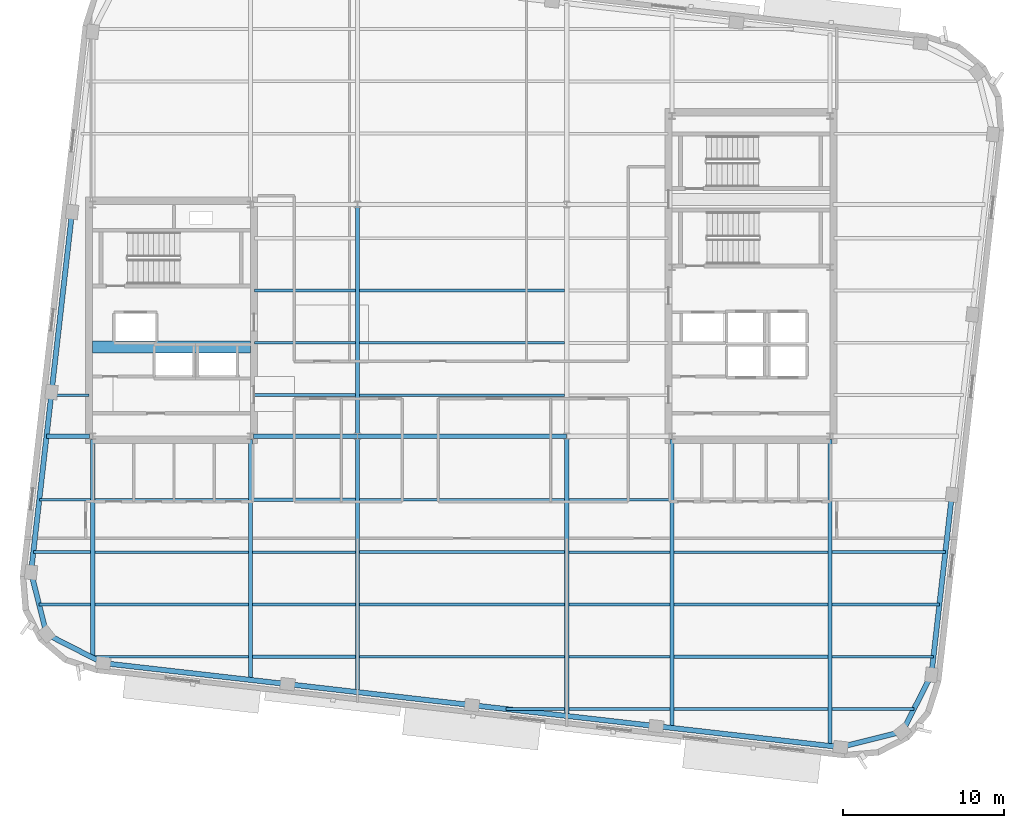
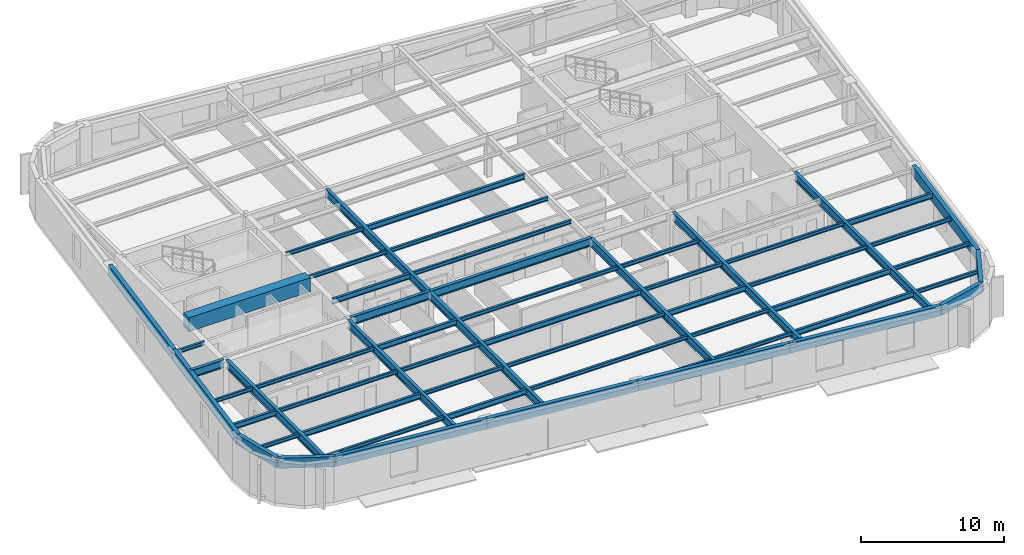
# One storey, part 3 of 14: 58 beams.
"""IFC4 building model written with IfcOpenShell, lengths in metres."""

from ifc_helpers import new_model, si_unit, direction, frame, origin, origin_2d, place, context, subcontext, project, spatial, rectangle, hollow_rectangle, i_section, extrude, material, material_profile, profile_set, type_object, element, save


model = new_model("IFC4")

# Units and contexts
model_context = context("Model", 3, precision=1e-05, world=origin(), true_north=direction((0.0, 1.0)))
body_context = subcontext(model_context, "Body", "Model", "MODEL_VIEW")
ifc_project = project(units=[si_unit("LENGTHUNIT", "METRE"), si_unit("AREAUNIT", "SQUARE_METRE"), si_unit("VOLUMEUNIT", "CUBIC_METRE"), si_unit("PLANEANGLEUNIT", "RADIAN"), si_unit("MASSUNIT", "GRAM", prefix="KILO")], contexts=[model_context])

# Site, building, storey
site_placement = place(None, origin())
site = spatial("IfcSite", under=ifc_project, at=site_placement, CompositionType="ELEMENT")
building_placement = place(site_placement, origin())
building = spatial("IfcBuilding", under=site, at=building_placement, Name="Kolvaren Arena Tower", CompositionType="ELEMENT")
storey_placement = place(building_placement, frame((0.0, 0.0, 258.449951171875)))
storey = spatial("IfcBuildingStorey", under=building, at=storey_placement, Name="L63", CompositionType="ELEMENT", Elevation=258.449951171875)

# Beams
ifc_material_1 = material(Name="Steel CSA G40.21 350W", Category="steel")
ifc_material_profile_1 = material_profile(ifc_material_1, i_section(OverallWidth=0.193115234375, OverallDepth=0.462890625, WebThickness=0.0107421875, FlangeThickness=0.0205078125, FilletRadius=0.012939453125, at=origin_2d()), Name="W460x113")
ifc_profile_set_1 = profile_set([ifc_material_profile_1], Name="Steel CSA G40.21 350W")
beam_type_1 = type_object("IfcBeamType", Name="BEAM-F2", PredefinedType="BEAM", material=ifc_profile_set_1)
beam_1_placement = place(storey_placement, frame((50.677490234375, 2.5, 3.24853515625), z_axis=(1.0, 0.0, 0.0), x_axis=(0.0, 1.0, 0.0)))
element("IfcBeam", 1, at=beam_1_placement, inside=storey, type_object=beam_type_1, Name="Composite Floor Beam (L63)", PredefinedType="BEAM", context=body_context, shape_type="SweptSolid", body=[
    extrude(i_section(OverallWidth=0.193115234375, OverallDepth=0.462890625, WebThickness=0.0107421875, FlangeThickness=0.0205078125, FilletRadius=0.012939453125, at=origin_2d()), origin(), (0.0, 0.0, 1.0), 9.544921875),
])
beam_2_placement = place(storey_placement, frame((24.4775390625, 5.75, 3.24853515625), z_axis=(1.0, 0.0, 0.0), x_axis=(0.0, 1.0, 0.0)))
element("IfcBeam", 2, at=beam_2_placement, inside=storey, type_object=beam_type_1, Name="Composite Floor Beam (L63)", PredefinedType="BEAM", context=body_context, shape_type="SweptSolid", body=[
    extrude(i_section(OverallWidth=0.193115234375, OverallDepth=0.462890625, WebThickness=0.0107421875, FlangeThickness=0.0205078125, FilletRadius=0.012939453125, at=origin_2d()), origin(), (0.0, 0.0, 1.0), 6.39501953125),
])
for number, where, z_axis, x_axis, name in (
    (3, (50.677490234375, 5.75, 3.24853515625), (1.0, 0.0, 0.0), (0.0, 1.0, 0.0), "Composite Floor Beam (L63)"),
    (4, (14.677490234375, 9.0, 3.24853515625), (1.0, 0.0, 0.0), (0.0, 1.0, 0.0), "Composite Floor Beam (L63)"),
):
    element("IfcBeam", number, at=place(storey_placement, frame(where, z_axis=z_axis, x_axis=x_axis)), inside=storey, type_object=beam_type_1, Name=name, PredefinedType="BEAM", context=body_context, shape_type="SweptSolid", body=[
        extrude(i_section(OverallWidth=0.193115234375, OverallDepth=0.462890625, WebThickness=0.0107421875, FlangeThickness=0.0205078125, FilletRadius=0.012939453125, at=origin_2d()), origin(), (0.0, 0.0, 1.0), 9.544921875),
    ])
beam_3_placement = place(storey_placement, frame((44.12744140625, 9.0, 3.24853515625), z_axis=(1.0, 0.0, 0.0), x_axis=(0.0, 1.0, 0.0)))
element("IfcBeam", 5, at=beam_3_placement, inside=storey, type_object=beam_type_1, Name="Composite Floor Beam (L63)", PredefinedType="BEAM", context=body_context, shape_type="SweptSolid", body=[
    extrude(i_section(OverallWidth=0.193115234375, OverallDepth=0.462890625, WebThickness=0.0107421875, FlangeThickness=0.0205078125, FilletRadius=0.012939453125, at=origin_2d()), origin(), (0.0, 0.0, 1.0), 6.295166015625),
])
beam_4_placement = place(storey_placement, frame((10.86083984375, 12.25, 3.24853515625), z_axis=(1.0, 0.0, 0.0), x_axis=(0.0, 1.0, 0.0)))
element("IfcBeam", 6, at=beam_4_placement, inside=storey, type_object=beam_type_1, Name="Composite Floor Beam (L63)", PredefinedType="BEAM", context=body_context, shape_type="SweptSolid", body=[
    extrude(i_section(OverallWidth=0.193115234375, OverallDepth=0.462890625, WebThickness=0.0107421875, FlangeThickness=0.0205078125, FilletRadius=0.012939453125, at=origin_2d()), origin(), (0.0, 0.0, 1.0), 3.561767578125),
])
beam_5_placement = place(storey_placement, frame((31.12744140625, 12.25, 3.24853515625), z_axis=(1.0, 0.0, 0.0), x_axis=(0.0, 1.0, 0.0)))
element("IfcBeam", 7, at=beam_5_placement, inside=storey, type_object=beam_type_1, Name="Composite Floor Beam (L63)", PredefinedType="BEAM", context=body_context, shape_type="SweptSolid", body=[
    extrude(i_section(OverallWidth=0.193115234375, OverallDepth=0.462890625, WebThickness=0.0107421875, FlangeThickness=0.0205078125, FilletRadius=0.012939453125, at=origin_2d()), origin(), (0.0, 0.0, 1.0), 12.7451171875),
])
beam_6_placement = place(storey_placement, frame((60.4775390625, 12.25, 3.24853515625), z_axis=(1.0, 0.0, 0.0), x_axis=(0.0, 1.0, 0.0)))
element("IfcBeam", 8, at=beam_6_placement, inside=storey, type_object=beam_type_1, Name="Composite Floor Beam (L63)", PredefinedType="BEAM", context=body_context, shape_type="SweptSolid", body=[
    extrude(i_section(OverallWidth=0.193115234375, OverallDepth=0.462890625, WebThickness=0.0107421875, FlangeThickness=0.0205078125, FilletRadius=0.012939453125, at=origin_2d()), origin(), (0.0, 0.0, 1.0), 7.04736328125),
])
beam_7_placement = place(storey_placement, frame((24.4775390625, 15.5, 3.24853515625), z_axis=(1.0, 0.0, 0.0), x_axis=(0.0, 1.0, 0.0)))
element("IfcBeam", 9, at=beam_7_placement, inside=storey, type_object=beam_type_1, Name="Composite Floor Beam (L63)", PredefinedType="BEAM", context=body_context, shape_type="SweptSolid", body=[
    extrude(i_section(OverallWidth=0.193115234375, OverallDepth=0.462890625, WebThickness=0.0107421875, FlangeThickness=0.0205078125, FilletRadius=0.012939453125, at=origin_2d()), origin(), (0.0, 0.0, 1.0), 6.39501953125),
])
beam_8_placement = place(storey_placement, frame((24.594970703125, 22.0, 3.24853515625), z_axis=(1.0, 0.0, 0.0), x_axis=(0.0, 1.0, 0.0)))
element("IfcBeam", 10, at=beam_8_placement, inside=storey, type_object=beam_type_1, Name="Composite Floor Beam (L63)", PredefinedType="BEAM", context=body_context, shape_type="SweptSolid", body=[
    extrude(i_section(OverallWidth=0.193115234375, OverallDepth=0.462890625, WebThickness=0.0107421875, FlangeThickness=0.0205078125, FilletRadius=0.012939453125, at=origin_2d()), origin(), (0.0, 0.0, 1.0), 6.277587890625),
])
beam_9_placement = place(storey_placement, frame((31.12744140625, 28.5, 3.24853515625), z_axis=(1.0, 0.0, 0.0), x_axis=(0.0, 1.0, 0.0)))
element("IfcBeam", 11, at=beam_9_placement, inside=storey, type_object=beam_type_1, Name="Composite Floor Beam (L63)", PredefinedType="BEAM", context=body_context, shape_type="SweptSolid", body=[
    extrude(i_section(OverallWidth=0.193115234375, OverallDepth=0.462890625, WebThickness=0.0107421875, FlangeThickness=0.0205078125, FilletRadius=0.012939453125, at=origin_2d()), origin(), (0.0, 0.0, 1.0), 12.7451171875),
])
ifc_material_2 = material(Name="Concrete 60 MPa", Category="concrete")
ifc_material_profile_2 = material_profile(ifc_material_2, rectangle(XDim=0.75, YDim=1.199951171875, at=origin_2d()), Name="RC-750x1200")
ifc_profile_set_2 = profile_set([ifc_material_profile_2], Name="Concrete 60 MPa")
beam_type_2 = type_object("IfcBeamType", Name="CB-CORE-2", PredefinedType="BEAM", material=ifc_profile_set_2)
beam_10_placement = place(storey_placement, frame((14.550048828125, 25.0, 3.150146484375), z_axis=(1.0, 0.0, 0.0), x_axis=(0.0, 1.0, 0.0)))
element("IfcBeam", 12, at=beam_10_placement, inside=storey, type_object=beam_type_2, Name="West Core Coupling Beam (L63)", PredefinedType="BEAM", context=body_context, shape_type="SweptSolid", body=[
    extrude(rectangle(XDim=0.75, YDim=1.199951171875, at=origin_2d()), origin(), (0.0, 0.0, 1.0), 9.800048828125),
])
ifc_material_profile_3 = material_profile(ifc_material_1, i_section(OverallWidth=0.2548828125, OverallDepth=0.695068359375, WebThickness=0.01708984375, FlangeThickness=0.02978515625, FilletRadius=0.01611328125, at=origin_2d()), Name="W690x217")
ifc_profile_set_3 = profile_set([ifc_material_profile_3], Name="Steel CSA G40.21 350W")
beam_type_3 = type_object("IfcBeamType", Name="GIRD-T2", PredefinedType="BEAM", material=ifc_profile_set_3)
beam_11_placement = place(storey_placement, frame((11.68115234375, 19.449951171875, 3.132568359375), z_axis=(1.0, 0.0, 0.0), x_axis=(0.0, 1.0, 0.0)))
element("IfcBeam", 13, at=beam_11_placement, inside=storey, type_object=beam_type_3, Name="Primary Floor Girder (L63)", PredefinedType="BEAM", context=body_context, shape_type="SweptSolid", body=[
    extrude(i_section(OverallWidth=0.2548828125, OverallDepth=0.695068359375, WebThickness=0.01708984375, FlangeThickness=0.02978515625, FilletRadius=0.01611328125, at=origin_2d()), origin(), (0.0, 0.0, 1.0), 2.663818359375),
])
beam_12_placement = place(storey_placement, frame((24.554931640625, 19.449951171875, 3.132568359375), z_axis=(1.0, 0.0, 0.0), x_axis=(0.0, 1.0, 0.0)))
element("IfcBeam", 14, at=beam_12_placement, inside=storey, type_object=beam_type_3, Name="Primary Floor Girder (L63)", PredefinedType="BEAM", context=body_context, shape_type="SweptSolid", body=[
    extrude(i_section(OverallWidth=0.2548828125, OverallDepth=0.695068359375, WebThickness=0.01708984375, FlangeThickness=0.02978515625, FilletRadius=0.01611328125, at=origin_2d()), origin(), (0.0, 0.0, 1.0), 6.445068359375),
])
beam_13_placement = place(storey_placement, frame((31.0, 19.449951171875, 3.132568359375), z_axis=(1.0, 0.0, 0.0), x_axis=(0.0, 1.0, 0.0)))
element("IfcBeam", 15, at=beam_13_placement, inside=storey, type_object=beam_type_3, Name="Primary Floor Girder (L63)", PredefinedType="BEAM", context=body_context, shape_type="SweptSolid", body=[
    extrude(i_section(OverallWidth=0.2548828125, OverallDepth=0.695068359375, WebThickness=0.01708984375, FlangeThickness=0.02978515625, FilletRadius=0.01611328125, at=origin_2d()), origin(), (0.0, 0.0, 1.0), 13.0),
])
beam_14_placement = place(storey_placement, frame((14.550048828125, 5.686767578125, 3.132568359375), z_axis=(0.0, 1.0, 0.0), x_axis=(-1.0, 0.0, 0.0)))
element("IfcBeam", 16, at=beam_14_placement, inside=storey, type_object=beam_type_3, Name="Primary Floor Girder (L63)", PredefinedType="BEAM", context=body_context, shape_type="SweptSolid", body=[
    extrude(i_section(OverallWidth=0.2548828125, OverallDepth=0.695068359375, WebThickness=0.01708984375, FlangeThickness=0.02978515625, FilletRadius=0.01611328125, at=origin_2d()), origin(), (0.0, 0.0, 1.0), 13.558349609375),
])
beam_15_placement = place(storey_placement, frame((24.35009765625, 4.30908203125, 3.132568359375), z_axis=(0.0, 1.0, 0.0), x_axis=(-1.0, 0.0, 0.0)))
element("IfcBeam", 17, at=beam_15_placement, inside=storey, type_object=beam_type_3, Name="Primary Floor Girder (L63)", PredefinedType="BEAM", context=body_context, shape_type="SweptSolid", body=[
    extrude(i_section(OverallWidth=0.2548828125, OverallDepth=0.695068359375, WebThickness=0.01708984375, FlangeThickness=0.02978515625, FilletRadius=0.01611328125, at=origin_2d()), origin(), (0.0, 0.0, 1.0), 14.93603515625),
])
beam_16_placement = place(storey_placement, frame((31.0, 3.551513671875, 3.132568359375), z_axis=(0.0, 1.0, 0.0), x_axis=(-1.0, 0.0, 0.0)))
element("IfcBeam", 18, at=beam_16_placement, inside=storey, type_object=beam_type_3, Name="Primary Floor Girder (L63)", PredefinedType="BEAM", context=body_context, shape_type="SweptSolid", body=[
    extrude(i_section(OverallWidth=0.2548828125, OverallDepth=0.695068359375, WebThickness=0.01708984375, FlangeThickness=0.02978515625, FilletRadius=0.01611328125, at=origin_2d()), origin(), (0.0, 0.0, 1.0), 15.8984375),
])
beam_17_placement = place(storey_placement, frame((31.0, 19.449951171875, 3.132568359375), z_axis=(0.0, 1.0, 0.0), x_axis=(-1.0, 0.0, 0.0)))
element("IfcBeam", 19, at=beam_17_placement, inside=storey, type_object=beam_type_3, Name="Primary Floor Girder (L63)", PredefinedType="BEAM", context=body_context, shape_type="SweptSolid", body=[
    extrude(i_section(OverallWidth=0.2548828125, OverallDepth=0.695068359375, WebThickness=0.01708984375, FlangeThickness=0.02978515625, FilletRadius=0.01611328125, at=origin_2d()), origin(), (0.0, 0.0, 1.0), 14.400146484375),
])
beam_18_placement = place(storey_placement, frame((44.0, 2.0703125, 3.132568359375), z_axis=(0.0, 1.0, 0.0), x_axis=(-1.0, 0.0, 0.0)))
element("IfcBeam", 20, at=beam_18_placement, inside=storey, type_object=beam_type_3, Name="Primary Floor Girder (L63)", PredefinedType="BEAM", context=body_context, shape_type="SweptSolid", body=[
    extrude(i_section(OverallWidth=0.2548828125, OverallDepth=0.695068359375, WebThickness=0.01708984375, FlangeThickness=0.02978515625, FilletRadius=0.01611328125, at=origin_2d()), origin(), (0.0, 0.0, 1.0), 17.379638671875),
])
beam_19_placement = place(storey_placement, frame((50.550048828125, 1.323974609375, 3.132568359375), z_axis=(0.0, 1.0, 0.0), x_axis=(-1.0, 0.0, 0.0)))
element("IfcBeam", 21, at=beam_19_placement, inside=storey, type_object=beam_type_3, Name="Primary Floor Girder (L63)", PredefinedType="BEAM", context=body_context, shape_type="SweptSolid", body=[
    extrude(i_section(OverallWidth=0.2548828125, OverallDepth=0.695068359375, WebThickness=0.01708984375, FlangeThickness=0.02978515625, FilletRadius=0.01611328125, at=origin_2d()), origin(), (0.0, 0.0, 1.0), 17.921142578125),
])
beam_20_placement = place(storey_placement, frame((60.35009765625, 0.20751953125, 3.132568359375), z_axis=(0.0, 1.0, 0.0), x_axis=(-1.0, 0.0, 0.0)))
element("IfcBeam", 22, at=beam_20_placement, inside=storey, type_object=beam_type_3, Name="Primary Floor Girder (L63)", PredefinedType="BEAM", context=body_context, shape_type="SweptSolid", body=[
    extrude(i_section(OverallWidth=0.2548828125, OverallDepth=0.695068359375, WebThickness=0.01708984375, FlangeThickness=0.02978515625, FilletRadius=0.01611328125, at=origin_2d()), origin(), (0.0, 0.0, 1.0), 19.03759765625),
])
ifc_material_profile_4 = material_profile(ifc_material_1, i_section(OverallWidth=0.1669921875, OverallDepth=0.31689453125, WebThickness=0.007568359375, FlangeThickness=0.01318359375, FilletRadius=0.010009765625, at=origin_2d()), Name="W310x52")
ifc_profile_set_4 = profile_set([ifc_material_profile_4], Name="Steel CSA G40.21 350W")
beam_type_4 = type_object("IfcBeamType", Name="JOIST-02", PredefinedType="JOIST", material=ifc_profile_set_4)
beam_21_placement = place(storey_placement, frame((40.228271484375, 2.5, 3.321533203125), z_axis=(1.0, 0.0, 0.0), x_axis=(0.0, 1.0, 0.0)))
element("IfcBeam", 23, at=beam_21_placement, inside=storey, type_object=beam_type_4, Name="Composite Floor Joist (L63)", PredefinedType="JOIST", context=body_context, shape_type="SweptSolid", body=[
    extrude(i_section(OverallWidth=0.1669921875, OverallDepth=0.31689453125, WebThickness=0.007568359375, FlangeThickness=0.01318359375, FilletRadius=0.010009765625, at=origin_2d()), origin(), (0.0, 0.0, 1.0), 3.644287109375),
])
beam_22_placement = place(storey_placement, frame((44.12744140625, 2.5, 3.321533203125), z_axis=(1.0, 0.0, 0.0), x_axis=(0.0, 1.0, 0.0)))
element("IfcBeam", 24, at=beam_22_placement, inside=storey, type_object=beam_type_4, Name="Composite Floor Joist (L63)", PredefinedType="JOIST", context=body_context, shape_type="SweptSolid", body=[
    extrude(i_section(OverallWidth=0.1669921875, OverallDepth=0.31689453125, WebThickness=0.007568359375, FlangeThickness=0.01318359375, FilletRadius=0.010009765625, at=origin_2d()), origin(), (0.0, 0.0, 1.0), 6.295166015625),
])
beam_23_placement = place(storey_placement, frame((60.4775390625, 2.5, 3.321533203125), z_axis=(1.0, 0.0, 0.0), x_axis=(0.0, 1.0, 0.0)))
element("IfcBeam", 25, at=beam_23_placement, inside=storey, type_object=beam_type_4, Name="Composite Floor Joist (L63)", PredefinedType="JOIST", context=body_context, shape_type="SweptSolid", body=[
    extrude(i_section(OverallWidth=0.1669921875, OverallDepth=0.31689453125, WebThickness=0.007568359375, FlangeThickness=0.01318359375, FilletRadius=0.010009765625, at=origin_2d()), origin(), (0.0, 0.0, 1.0), 5.09423828125),
])
beam_24_placement = place(storey_placement, frame((14.42626953125, 5.75, 3.321533203125), z_axis=(1.0, 0.0, 0.0), x_axis=(0.0, 1.0, 0.0)))
element("IfcBeam", 26, at=beam_24_placement, inside=storey, type_object=beam_type_4, Name="Composite Floor Joist (L63)", PredefinedType="JOIST", context=body_context, shape_type="SweptSolid", body=[
    extrude(i_section(OverallWidth=0.1669921875, OverallDepth=0.31689453125, WebThickness=0.007568359375, FlangeThickness=0.01318359375, FilletRadius=0.010009765625, at=origin_2d()), origin(), (0.0, 0.0, 1.0), 9.796142578125),
])
beam_25_placement = place(storey_placement, frame((31.12744140625, 5.75, 3.321533203125), z_axis=(1.0, 0.0, 0.0), x_axis=(0.0, 1.0, 0.0)))
element("IfcBeam", 27, at=beam_25_placement, inside=storey, type_object=beam_type_4, Name="Composite Floor Joist (L63)", PredefinedType="JOIST", context=body_context, shape_type="SweptSolid", body=[
    extrude(i_section(OverallWidth=0.1669921875, OverallDepth=0.31689453125, WebThickness=0.007568359375, FlangeThickness=0.01318359375, FilletRadius=0.010009765625, at=origin_2d()), origin(), (0.0, 0.0, 1.0), 12.7451171875),
])
beam_26_placement = place(storey_placement, frame((44.12744140625, 5.75, 3.321533203125), z_axis=(1.0, 0.0, 0.0), x_axis=(0.0, 1.0, 0.0)))
element("IfcBeam", 28, at=beam_26_placement, inside=storey, type_object=beam_type_4, Name="Composite Floor Joist (L63)", PredefinedType="JOIST", context=body_context, shape_type="SweptSolid", body=[
    extrude(i_section(OverallWidth=0.1669921875, OverallDepth=0.31689453125, WebThickness=0.007568359375, FlangeThickness=0.01318359375, FilletRadius=0.010009765625, at=origin_2d()), origin(), (0.0, 0.0, 1.0), 6.295166015625),
])
beam_27_placement = place(storey_placement, frame((60.4775390625, 5.75, 3.321533203125), z_axis=(1.0, 0.0, 0.0), x_axis=(0.0, 1.0, 0.0)))
element("IfcBeam", 29, at=beam_27_placement, inside=storey, type_object=beam_type_4, Name="Composite Floor Joist (L63)", PredefinedType="JOIST", context=body_context, shape_type="SweptSolid", body=[
    extrude(i_section(OverallWidth=0.1669921875, OverallDepth=0.31689453125, WebThickness=0.007568359375, FlangeThickness=0.01318359375, FilletRadius=0.010009765625, at=origin_2d()), origin(), (0.0, 0.0, 1.0), 6.306884765625),
])
beam_28_placement = place(storey_placement, frame((11.217529296875, 9.0, 3.321533203125), z_axis=(1.0, 0.0, 0.0), x_axis=(0.0, 1.0, 0.0)))
element("IfcBeam", 30, at=beam_28_placement, inside=storey, type_object=beam_type_4, Name="Composite Floor Joist (L63)", PredefinedType="JOIST", context=body_context, shape_type="SweptSolid", body=[
    extrude(i_section(OverallWidth=0.1669921875, OverallDepth=0.31689453125, WebThickness=0.007568359375, FlangeThickness=0.01318359375, FilletRadius=0.010009765625, at=origin_2d()), origin(), (0.0, 0.0, 1.0), 3.205078125),
])
beam_29_placement = place(storey_placement, frame((24.4775390625, 9.0, 3.321533203125), z_axis=(1.0, 0.0, 0.0), x_axis=(0.0, 1.0, 0.0)))
element("IfcBeam", 31, at=beam_29_placement, inside=storey, type_object=beam_type_4, Name="Composite Floor Joist (L63)", PredefinedType="JOIST", context=body_context, shape_type="SweptSolid", body=[
    extrude(i_section(OverallWidth=0.1669921875, OverallDepth=0.31689453125, WebThickness=0.007568359375, FlangeThickness=0.01318359375, FilletRadius=0.010009765625, at=origin_2d()), origin(), (0.0, 0.0, 1.0), 6.39501953125),
])
beam_30_placement = place(storey_placement, frame((31.12744140625, 9.0, 3.321533203125), z_axis=(1.0, 0.0, 0.0), x_axis=(0.0, 1.0, 0.0)))
element("IfcBeam", 32, at=beam_30_placement, inside=storey, type_object=beam_type_4, Name="Composite Floor Joist (L63)", PredefinedType="JOIST", context=body_context, shape_type="SweptSolid", body=[
    extrude(i_section(OverallWidth=0.1669921875, OverallDepth=0.31689453125, WebThickness=0.007568359375, FlangeThickness=0.01318359375, FilletRadius=0.010009765625, at=origin_2d()), origin(), (0.0, 0.0, 1.0), 12.7451171875),
])
beam_31_placement = place(storey_placement, frame((50.677490234375, 9.0, 3.321533203125), z_axis=(1.0, 0.0, 0.0), x_axis=(0.0, 1.0, 0.0)))
element("IfcBeam", 33, at=beam_31_placement, inside=storey, type_object=beam_type_4, Name="Composite Floor Joist (L63)", PredefinedType="JOIST", context=body_context, shape_type="SweptSolid", body=[
    extrude(i_section(OverallWidth=0.1669921875, OverallDepth=0.31689453125, WebThickness=0.007568359375, FlangeThickness=0.01318359375, FilletRadius=0.010009765625, at=origin_2d()), origin(), (0.0, 0.0, 1.0), 9.544921875),
])
beam_32_placement = place(storey_placement, frame((60.4775390625, 9.0, 3.321533203125), z_axis=(1.0, 0.0, 0.0), x_axis=(0.0, 1.0, 0.0)))
element("IfcBeam", 34, at=beam_32_placement, inside=storey, type_object=beam_type_4, Name="Composite Floor Joist (L63)", PredefinedType="JOIST", context=body_context, shape_type="SweptSolid", body=[
    extrude(i_section(OverallWidth=0.1669921875, OverallDepth=0.31689453125, WebThickness=0.007568359375, FlangeThickness=0.01318359375, FilletRadius=0.010009765625, at=origin_2d()), origin(), (0.0, 0.0, 1.0), 6.67724609375),
])
beam_33_placement = place(storey_placement, frame((14.677490234375, 12.25, 3.321533203125), z_axis=(1.0, 0.0, 0.0), x_axis=(0.0, 1.0, 0.0)))
element("IfcBeam", 35, at=beam_33_placement, inside=storey, type_object=beam_type_4, Name="Composite Floor Joist (L63)", PredefinedType="JOIST", context=body_context, shape_type="SweptSolid", body=[
    extrude(i_section(OverallWidth=0.1669921875, OverallDepth=0.31689453125, WebThickness=0.007568359375, FlangeThickness=0.01318359375, FilletRadius=0.010009765625, at=origin_2d()), origin(), (0.0, 0.0, 1.0), 9.544921875),
])
beam_34_placement = place(storey_placement, frame((24.4775390625, 12.25, 3.321533203125), z_axis=(1.0, 0.0, 0.0), x_axis=(0.0, 1.0, 0.0)))
element("IfcBeam", 36, at=beam_34_placement, inside=storey, type_object=beam_type_4, Name="Composite Floor Joist (L63)", PredefinedType="JOIST", context=body_context, shape_type="SweptSolid", body=[
    extrude(i_section(OverallWidth=0.1669921875, OverallDepth=0.31689453125, WebThickness=0.007568359375, FlangeThickness=0.01318359375, FilletRadius=0.010009765625, at=origin_2d()), origin(), (0.0, 0.0, 1.0), 6.39501953125),
])
beam_35_placement = place(storey_placement, frame((44.12744140625, 12.25, 3.321533203125), z_axis=(1.0, 0.0, 0.0), x_axis=(0.0, 1.0, 0.0)))
element("IfcBeam", 37, at=beam_35_placement, inside=storey, type_object=beam_type_4, Name="Composite Floor Joist (L63)", PredefinedType="JOIST", context=body_context, shape_type="SweptSolid", body=[
    extrude(i_section(OverallWidth=0.1669921875, OverallDepth=0.31689453125, WebThickness=0.007568359375, FlangeThickness=0.01318359375, FilletRadius=0.010009765625, at=origin_2d()), origin(), (0.0, 0.0, 1.0), 6.295166015625),
])
beam_36_placement = place(storey_placement, frame((50.677490234375, 12.25, 3.321533203125), z_axis=(1.0, 0.0, 0.0), x_axis=(0.0, 1.0, 0.0)))
element("IfcBeam", 38, at=beam_36_placement, inside=storey, type_object=beam_type_4, Name="Composite Floor Joist (L63)", PredefinedType="JOIST", context=body_context, shape_type="SweptSolid", body=[
    extrude(i_section(OverallWidth=0.1669921875, OverallDepth=0.31689453125, WebThickness=0.007568359375, FlangeThickness=0.01318359375, FilletRadius=0.010009765625, at=origin_2d()), origin(), (0.0, 0.0, 1.0), 9.544921875),
])
beam_37_placement = place(storey_placement, frame((11.23095703125, 15.5, 3.321533203125), z_axis=(1.0, 0.0, 0.0), x_axis=(0.0, 1.0, 0.0)))
element("IfcBeam", 39, at=beam_37_placement, inside=storey, type_object=beam_type_4, Name="Composite Floor Joist (L63)", PredefinedType="JOIST", context=body_context, shape_type="SweptSolid", body=[
    extrude(i_section(OverallWidth=0.1669921875, OverallDepth=0.31689453125, WebThickness=0.007568359375, FlangeThickness=0.01318359375, FilletRadius=0.010009765625, at=origin_2d()), origin(), (0.0, 0.0, 1.0), 3.191650390625),
])
beam_38_placement = place(storey_placement, frame((14.677490234375, 15.5, 3.321533203125), z_axis=(1.0, 0.0, 0.0), x_axis=(0.0, 1.0, 0.0)))
element("IfcBeam", 40, at=beam_38_placement, inside=storey, type_object=beam_type_4, Name="Composite Floor Joist (L63)", PredefinedType="JOIST", context=body_context, shape_type="SweptSolid", body=[
    extrude(i_section(OverallWidth=0.1669921875, OverallDepth=0.31689453125, WebThickness=0.007568359375, FlangeThickness=0.01318359375, FilletRadius=0.010009765625, at=origin_2d()), origin(), (0.0, 0.0, 1.0), 9.544921875),
])
beam_39_placement = place(storey_placement, frame((31.12744140625, 15.5, 3.321533203125), z_axis=(1.0, 0.0, 0.0), x_axis=(0.0, 1.0, 0.0)))
element("IfcBeam", 41, at=beam_39_placement, inside=storey, type_object=beam_type_4, Name="Composite Floor Joist (L63)", PredefinedType="JOIST", context=body_context, shape_type="SweptSolid", body=[
    extrude(i_section(OverallWidth=0.1669921875, OverallDepth=0.31689453125, WebThickness=0.007568359375, FlangeThickness=0.01318359375, FilletRadius=0.010009765625, at=origin_2d()), origin(), (0.0, 0.0, 1.0), 12.7451171875),
])
beam_40_placement = place(storey_placement, frame((44.12744140625, 15.5, 3.321533203125), z_axis=(1.0, 0.0, 0.0), x_axis=(0.0, 1.0, 0.0)))
element("IfcBeam", 42, at=beam_40_placement, inside=storey, type_object=beam_type_4, Name="Composite Floor Joist (L63)", PredefinedType="JOIST", context=body_context, shape_type="SweptSolid", body=[
    extrude(i_section(OverallWidth=0.1669921875, OverallDepth=0.31689453125, WebThickness=0.007568359375, FlangeThickness=0.01318359375, FilletRadius=0.010009765625, at=origin_2d()), origin(), (0.0, 0.0, 1.0), 6.295166015625),
])
beam_41_placement = place(storey_placement, frame((11.9716796875, 22.0, 3.321533203125), z_axis=(1.0, 0.0, 0.0), x_axis=(0.0, 1.0, 0.0)))
element("IfcBeam", 43, at=beam_41_placement, inside=storey, type_object=beam_type_4, Name="Composite Floor Joist (L63)", PredefinedType="JOIST", context=body_context, shape_type="SweptSolid", body=[
    extrude(i_section(OverallWidth=0.1669921875, OverallDepth=0.31689453125, WebThickness=0.007568359375, FlangeThickness=0.01318359375, FilletRadius=0.010009765625, at=origin_2d()), origin(), (0.0, 0.0, 1.0), 2.333251953125),
])
beam_42_placement = place(storey_placement, frame((31.12744140625, 22.0, 3.321533203125), z_axis=(1.0, 0.0, 0.0), x_axis=(0.0, 1.0, 0.0)))
element("IfcBeam", 44, at=beam_42_placement, inside=storey, type_object=beam_type_4, Name="Composite Floor Joist (L63)", PredefinedType="JOIST", context=body_context, shape_type="SweptSolid", body=[
    extrude(i_section(OverallWidth=0.1669921875, OverallDepth=0.31689453125, WebThickness=0.007568359375, FlangeThickness=0.01318359375, FilletRadius=0.010009765625, at=origin_2d()), origin(), (0.0, 0.0, 1.0), 12.7451171875),
])
beam_43_placement = place(storey_placement, frame((24.594970703125, 25.25, 3.321533203125), z_axis=(1.0, 0.0, 0.0), x_axis=(0.0, 1.0, 0.0)))
element("IfcBeam", 45, at=beam_43_placement, inside=storey, type_object=beam_type_4, Name="Composite Floor Joist (L63)", PredefinedType="JOIST", context=body_context, shape_type="SweptSolid", body=[
    extrude(i_section(OverallWidth=0.1669921875, OverallDepth=0.31689453125, WebThickness=0.007568359375, FlangeThickness=0.01318359375, FilletRadius=0.010009765625, at=origin_2d()), origin(), (0.0, 0.0, 1.0), 6.277587890625),
])
beam_44_placement = place(storey_placement, frame((31.12744140625, 25.25, 3.321533203125), z_axis=(1.0, 0.0, 0.0), x_axis=(0.0, 1.0, 0.0)))
element("IfcBeam", 46, at=beam_44_placement, inside=storey, type_object=beam_type_4, Name="Composite Floor Joist (L63)", PredefinedType="JOIST", context=body_context, shape_type="SweptSolid", body=[
    extrude(i_section(OverallWidth=0.1669921875, OverallDepth=0.31689453125, WebThickness=0.007568359375, FlangeThickness=0.01318359375, FilletRadius=0.010009765625, at=origin_2d()), origin(), (0.0, 0.0, 1.0), 12.7451171875),
])
beam_45_placement = place(storey_placement, frame((24.594970703125, 28.5, 3.321533203125), z_axis=(1.0, 0.0, 0.0), x_axis=(0.0, 1.0, 0.0)))
element("IfcBeam", 47, at=beam_45_placement, inside=storey, type_object=beam_type_4, Name="Composite Floor Joist (L63)", PredefinedType="JOIST", context=body_context, shape_type="SweptSolid", body=[
    extrude(i_section(OverallWidth=0.1669921875, OverallDepth=0.31689453125, WebThickness=0.007568359375, FlangeThickness=0.01318359375, FilletRadius=0.010009765625, at=origin_2d()), origin(), (0.0, 0.0, 1.0), 6.277587890625),
])
ifc_material_3 = material(Name="Steel CSA G40.21 350WT", Category="steel")
ifc_material_profile_5 = material_profile(ifc_material_3, hollow_rectangle(XDim=0.320068359375, YDim=0.860107421875, WallThickness=0.01806640625, at=origin_2d()), Name="HSS 860x320x18")
ifc_profile_set_5 = profile_set([ifc_material_profile_5], Name="Steel CSA G40.21 350WT")
beam_type_5 = type_object("IfcBeamType", Name="SPAND-02", PredefinedType="SPANDREL", material=ifc_profile_set_5)
for number, where, z_axis, x_axis, name in (
    (48, (15.207763671875, 5.350830078125, 3.050048828125), (0.99357166944, -0.113204848336, 0.0), (0.113204848336, 0.99357166944, 0.0), "Perimeter Spandrel Beam (L63)"),
    (49, (26.65869140625, 4.046142578125, 3.050048828125), (0.99357166944, -0.113204848336, 0.0), (0.113204848336, 0.99357166944, 0.0), "Perimeter Spandrel Beam (L63)"),
):
    element("IfcBeam", number, at=place(storey_placement, frame(where, z_axis=z_axis, x_axis=x_axis)), inside=storey, type_object=beam_type_5, Name=name, PredefinedType="SPANDREL", context=body_context, shape_type="SweptSolid", body=[
        extrude(hollow_rectangle(XDim=0.320068359375, YDim=0.860107421875, WallThickness=0.01806640625, at=origin_2d()), origin(), (0.0, 0.0, 1.0), 11.52490234375),
    ])
beam_46_placement = place(storey_placement, frame((38.109619140625, 2.741455078125, 3.050048828125), z_axis=(0.993571397957, -0.113207231049, 0.0), x_axis=(0.113207231049, 0.993571397957, 0.0)))
element("IfcBeam", 50, at=beam_46_placement, inside=storey, type_object=beam_type_5, Name="Perimeter Spandrel Beam (L63)", PredefinedType="SPANDREL", context=body_context, shape_type="SweptSolid", body=[
    extrude(hollow_rectangle(XDim=0.320068359375, YDim=0.860107421875, WallThickness=0.01806640625, at=origin_2d()), origin(), (0.0, 0.0, 1.0), 11.524658203125),
])
beam_47_placement = place(storey_placement, frame((49.560302734375, 1.436767578125, 3.050048828125), z_axis=(0.993571940905, -0.113202465721, 0.0), x_axis=(0.113202465721, 0.993571940905, 0.0)))
element("IfcBeam", 51, at=beam_47_placement, inside=storey, type_object=beam_type_5, Name="Perimeter Spandrel Beam (L63)", PredefinedType="SPANDREL", context=body_context, shape_type="SweptSolid", body=[
    extrude(hollow_rectangle(XDim=0.320068359375, YDim=0.860107421875, WallThickness=0.01806640625, at=origin_2d()), origin(), (0.0, 0.0, 1.0), 11.525146484375),
])
beam_48_placement = place(storey_placement, frame((61.011474609375, 0.132080078125, 3.050048828125), z_axis=(0.970033632471, 0.242970681103, 0.0), x_axis=(-0.242970681103, 0.970033632471, 0.0)))
element("IfcBeam", 52, at=beam_48_placement, inside=storey, type_object=beam_type_5, Name="Perimeter Spandrel Beam (L63)", PredefinedType="SPANDREL", context=body_context, shape_type="SweptSolid", body=[
    extrude(hollow_rectangle(XDim=0.320068359375, YDim=0.860107421875, WallThickness=0.01806640625, at=origin_2d()), origin(), (0.0, 0.0, 1.0), 3.9609375),
])
beam_49_placement = place(storey_placement, frame((64.853759765625, 1.094482421875, 3.050048828125), z_axis=(0.454962284061, 0.89051070745, 0.0), x_axis=(-0.89051070745, 0.454962284061, 0.0)))
element("IfcBeam", 53, at=beam_49_placement, inside=storey, type_object=beam_type_5, Name="Perimeter Spandrel Beam (L63)", PredefinedType="SPANDREL", context=body_context, shape_type="SweptSolid", body=[
    extrude(hollow_rectangle(XDim=0.320068359375, YDim=0.860107421875, WallThickness=0.01806640625, at=origin_2d()), origin(), (0.0, 0.0, 1.0), 3.96142578125),
])
beam_50_placement = place(storey_placement, frame((66.656005859375, 4.6220703125, 3.050048828125), z_axis=(0.113201896536, 0.993572005755, 0.0), x_axis=(-0.993572005755, 0.113201896536, 0.0)))
element("IfcBeam", 54, at=beam_50_placement, inside=storey, type_object=beam_type_5, Name="Perimeter Spandrel Beam (L63)", PredefinedType="SPANDREL", context=body_context, shape_type="SweptSolid", body=[
    extrude(hollow_rectangle(XDim=0.320068359375, YDim=0.860107421875, WallThickness=0.01806640625, at=origin_2d()), origin(), (0.0, 0.0, 1.0), 11.2666015625),
])
beam_51_placement = place(storey_placement, frame((13.268798828125, 33.3837890625, 3.050048828125), z_axis=(-0.113220850685, -0.993569846045, 0.0), x_axis=(0.993569846045, -0.113220850685, 0.0)))
element("IfcBeam", 55, at=beam_51_placement, inside=storey, type_object=beam_type_5, Name="Perimeter Spandrel Beam (L63)", PredefinedType="SPANDREL", context=body_context, shape_type="SweptSolid", body=[
    extrude(hollow_rectangle(XDim=0.320068359375, YDim=0.860107421875, WallThickness=0.01806640625, at=origin_2d()), origin(), (0.0, 0.0, 1.0), 11.266845703125),
])
beam_52_placement = place(storey_placement, frame((11.9931640625, 22.189453125, 3.050048828125), z_axis=(-0.113201896536, -0.993572005755, 0.0), x_axis=(0.993572005755, -0.113201896536, 0.0)))
element("IfcBeam", 56, at=beam_52_placement, inside=storey, type_object=beam_type_5, Name="Perimeter Spandrel Beam (L63)", PredefinedType="SPANDREL", context=body_context, shape_type="SweptSolid", body=[
    extrude(hollow_rectangle(XDim=0.320068359375, YDim=0.860107421875, WallThickness=0.01806640625, at=origin_2d()), origin(), (0.0, 0.0, 1.0), 11.2666015625),
])
beam_53_placement = place(storey_placement, frame((10.7177734375, 10.995361328125, 3.050048828125), z_axis=(0.243014148252, -0.970022743934, 0.0), x_axis=(0.970022743934, 0.243014148252, 0.0)))
element("IfcBeam", 57, at=beam_53_placement, inside=storey, type_object=beam_type_5, Name="Perimeter Spandrel Beam (L63)", PredefinedType="SPANDREL", context=body_context, shape_type="SweptSolid", body=[
    extrude(hollow_rectangle(XDim=0.320068359375, YDim=0.860107421875, WallThickness=0.01806640625, at=origin_2d()), origin(), (0.0, 0.0, 1.0), 3.961181640625),
])
beam_54_placement = place(storey_placement, frame((11.680419921875, 7.15283203125, 3.050048828125), z_axis=(0.890522920884, -0.454938377564, 0.0), x_axis=(0.454938377564, 0.890522920884, 0.0)))
element("IfcBeam", 58, at=beam_54_placement, inside=storey, type_object=beam_type_5, Name="Perimeter Spandrel Beam (L63)", PredefinedType="SPANDREL", context=body_context, shape_type="SweptSolid", body=[
    extrude(hollow_rectangle(XDim=0.320068359375, YDim=0.860107421875, WallThickness=0.01806640625, at=origin_2d()), origin(), (0.0, 0.0, 1.0), 3.9609375),
])

save(model, "model.ifc")
